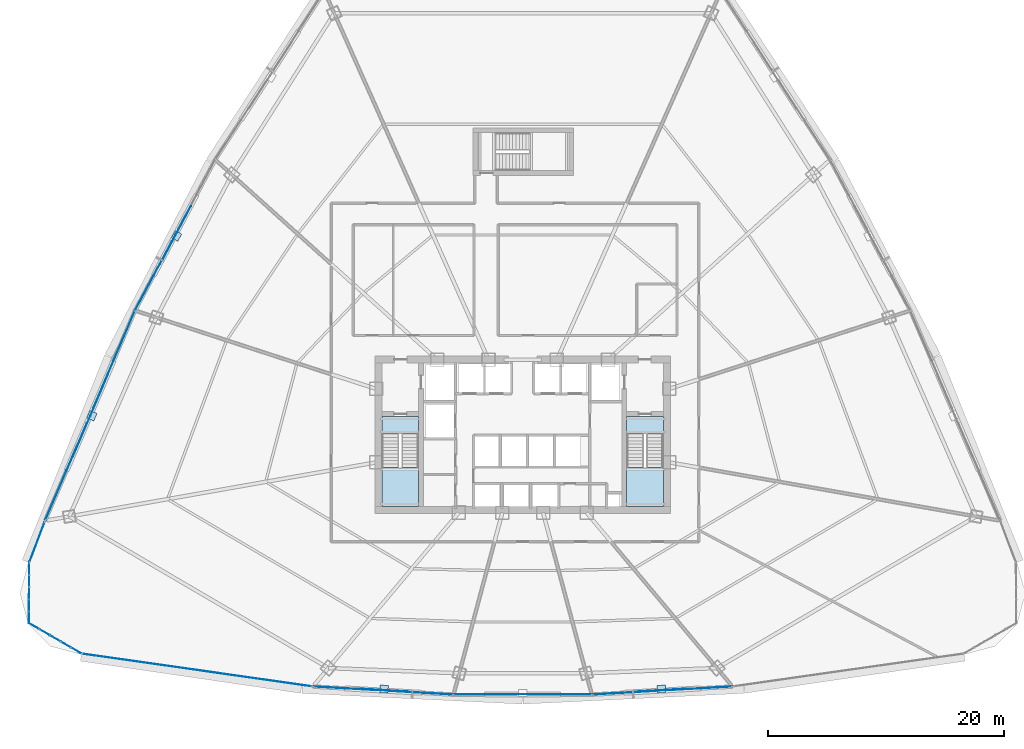
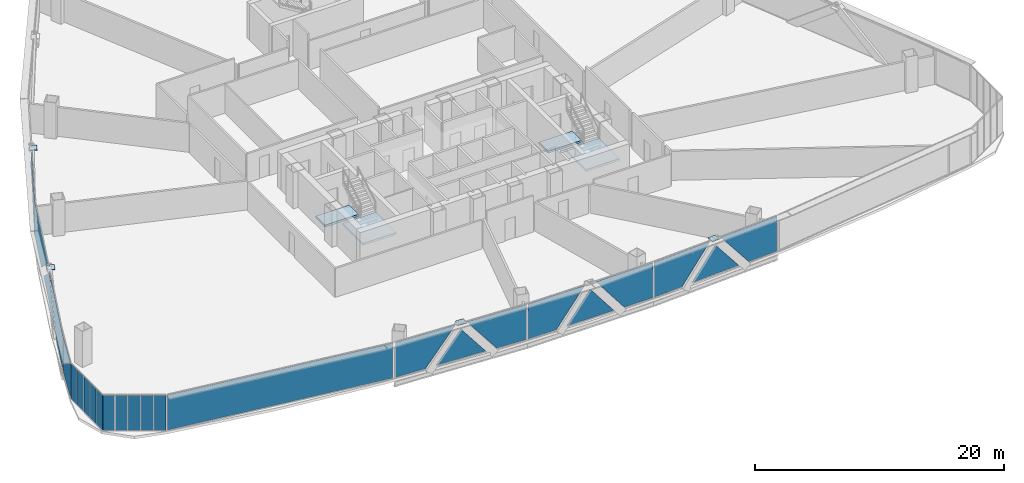
# One storey, part 28 of 39: 30 plates, 4 slabs, 11 elements without a shape of their own.
"""IFC4 building model written with IfcOpenShell, lengths in metres."""

from ifc_helpers import new_model, si_unit, direction, frame, origin, origin_2d, place, context, subcontext, project, spatial, polyline, rectangle, outline, extrude, source, transform, mapped, material, layer, layer_set, type_object, element, aggregate, save


model = new_model("IFC4")

# Units and contexts
model_context = context("Model", 3, precision=1e-05, world=origin(), true_north=direction((0.0, 1.0)))
body_context = subcontext(model_context, "Body", "Model", "MODEL_VIEW")
ifc_project = project(units=[si_unit("LENGTHUNIT", "METRE"), si_unit("AREAUNIT", "SQUARE_METRE"), si_unit("VOLUMEUNIT", "CUBIC_METRE"), si_unit("PLANEANGLEUNIT", "RADIAN"), si_unit("MASSUNIT", "GRAM", prefix="KILO"), si_unit("THERMODYNAMICTEMPERATUREUNIT", "KELVIN"), si_unit("POWERUNIT", "WATT")], contexts=[model_context])

# Site, building, storey
site_placement = place(None, origin())
site = spatial("IfcSite", under=ifc_project, at=site_placement, CompositionType="ELEMENT")
building_placement = place(site_placement, origin())
building = spatial("IfcBuilding", under=site, at=building_placement, Name="Yunzhuo Pagoda Commons", CompositionType="ELEMENT")
storey_placement = place(building_placement, frame((0.0, 0.0, 100.179931640625)))
storey = spatial("IfcBuildingStorey", under=building, at=storey_placement, Name="L25", CompositionType="ELEMENT", Elevation=100.179931640625)

# Curtain wall, plates
ifc_material_1 = material(Name="Anodized aluminium 6063-T6", Category="aluminium")
ifc_layer_1 = layer(ifc_material_1, 0.1650390625)
ifc_layer_set_1 = layer_set([ifc_layer_1], Name="Anodized aluminium 6063-T6")
curtain_wall_type_1 = type_object("IfcCurtainWallType", Name="CW-LOW Low-Zone Ribbon Curtain Wall", PredefinedType="NOTDEFINED", material=ifc_layer_set_1)
curtain_wall_1_placement = place(storey_placement, origin())
curtain_wall_1 = element("IfcCurtainWall", 1, at=curtain_wall_1_placement, inside=storey, type_object=curtain_wall_type_1, Name="L25 curtain wall CW-L25-F1B2", PredefinedType="NOTDEFINED")
ifc_material_2 = material(Name="Tempered low-e double glazing", Category="glass")
ifc_layer_2 = layer(ifc_material_2, 0.028076171875)
ifc_layer_set_2 = layer_set([ifc_layer_2], Name="Tempered low-e double glazing")
plate_type_1 = type_object("IfcPlateType", Name="CW-LOW-P Low-E Double Glazing 28", PredefinedType="CURTAIN_PANEL", material=ifc_layer_set_2)
plate_1_placement = place(storey_placement, frame((32.993896484375, 12.403564453125, 1.77001953125), z_axis=(-0.057299493103, -0.998357034377, 0.0), x_axis=(0.998357034377, -0.057299493103, 0.0)))
plate_1 = element("IfcPlate", 2, at=plate_1_placement, type_object=plate_type_1, Name="CW panel 1.1 lite 1", PredefinedType="CURTAIN_PANEL", context=body_context, shape_type="SweptSolid", body=[
    extrude(outline(polyline([(-2.681884765625, -1.7099609375), (0.00048828125, -1.7099609375), (2.681884765625, 1.7099609375), (-2.681884765625, 1.7099609375), (-2.681884765625, -1.7099609375)])), origin(), (0.0, 0.0, 1.0), 0.028076171875),
])
plate_2_placement = place(storey_placement, frame((36.2021484375, 12.24951171875, 1.4921875), z_axis=(-0.057299493103, -0.998357034377, 0.0), x_axis=(0.998357034377, -0.057299493103, 0.0)))
plate_2 = element("IfcPlate", 3, at=plate_2_placement, type_object=plate_type_1, Name="CW panel 1.1 lite 2", PredefinedType="CURTAIN_PANEL", context=body_context, shape_type="SweptSolid", body=[
    extrude(outline(polyline([(-2.245849609375, -1.43212890625), (2.245849609375, -1.43212890625), (0.0, 1.43212890625), (-2.245849609375, -1.43212890625)])), origin(), (0.0, 0.0, 1.0), 0.028076171875),
])
plate_3_placement = place(storey_placement, frame((39.4072265625, 12.035400390625, 1.77001953125), z_axis=(-0.057299493103, -0.998357034377, 0.0), x_axis=(0.998357034377, -0.057299493103, 0.0)))
plate_3 = element("IfcPlate", 4, at=plate_3_placement, type_object=plate_type_1, Name="CW panel 1.1 lite 3", PredefinedType="CURTAIN_PANEL", context=body_context, shape_type="SweptSolid", body=[
    extrude(outline(polyline([(-2.681884765625, 1.7099609375), (-0.00048828125, -1.7099609375), (2.68212890625, -1.7099609375), (2.68212890625, 1.7099609375), (-2.681884765625, 1.7099609375)])), origin(), (0.0, 0.0, 1.0), 0.028076171875),
])
aggregate(curtain_wall_1, [plate_1, plate_2, plate_3])

curtain_wall_2_placement = place(storey_placement, origin())
curtain_wall_2 = element("IfcCurtainWall", 5, at=curtain_wall_2_placement, inside=storey, type_object=curtain_wall_type_1, Name="L25 curtain wall CW-L25-F1B3", PredefinedType="NOTDEFINED")
plate_4_placement = place(storey_placement, frame((44.843994140625, 11.87841796875, 1.77001953125), z_axis=(0.0, -1.0, 0.0), x_axis=(1.0, 0.0, 0.0)))
plate_4 = element("IfcPlate", 6, at=plate_4_placement, type_object=plate_type_1, Name="CW panel 1.1 lite 1", PredefinedType="CURTAIN_PANEL", context=body_context, shape_type="SweptSolid", body=[
    extrude(outline(polyline([(-2.6298828125, -1.7099609375), (-0.002685546875, -1.7099609375), (2.6298828125, 1.7099609375), (-2.6298828125, 1.7099609375), (-2.6298828125, -1.7099609375)])), origin(), (0.0, 0.0, 1.0), 0.028076171875),
])
plate_5_placement = place(storey_placement, frame((48.0, 11.908203125, 1.488525390625), z_axis=(0.0, -1.0, 0.0), x_axis=(1.0, 0.0, 0.0)))
plate_5 = element("IfcPlate", 7, at=plate_5_placement, type_object=plate_type_1, Name="CW panel 1.1 lite 2", PredefinedType="CURTAIN_PANEL", context=body_context, shape_type="SweptSolid", body=[
    extrude(outline(polyline([(-2.199462890625, -1.4287109375), (2.199462890625, -1.4287109375), (0.0, 1.4287109375), (-2.199462890625, -1.4287109375)])), origin(), (0.0, 0.0, 1.0), 0.028076171875),
])
plate_6_placement = place(storey_placement, frame((51.156005859375, 11.87841796875, 1.77001953125), z_axis=(0.0, -1.0, 0.0), x_axis=(1.0, 0.0, 0.0)))
plate_6 = element("IfcPlate", 8, at=plate_6_placement, type_object=plate_type_1, Name="CW panel 1.1 lite 3", PredefinedType="CURTAIN_PANEL", context=body_context, shape_type="SweptSolid", body=[
    extrude(outline(polyline([(-2.6298828125, 1.7099609375), (0.002685546875, -1.7099609375), (2.6298828125, -1.7099609375), (2.6298828125, 1.7099609375), (-2.6298828125, 1.7099609375)])), origin(), (0.0, 0.0, 1.0), 0.028076171875),
])
aggregate(curtain_wall_2, [plate_4, plate_5, plate_6])

curtain_wall_3_placement = place(storey_placement, origin())
curtain_wall_3 = element("IfcCurtainWall", 9, at=curtain_wall_3_placement, inside=storey, type_object=curtain_wall_type_1, Name="L25 curtain wall CW-L25-F1B4", PredefinedType="NOTDEFINED")
plate_7_placement = place(storey_placement, frame((56.5927734375, 12.035400390625, 1.77001953125), z_axis=(0.057299493103, -0.998357034377, 0.0), x_axis=(0.998357034377, 0.057299493103, 0.0)))
plate_7 = element("IfcPlate", 10, at=plate_7_placement, type_object=plate_type_1, Name="CW panel 1.1 lite 1", PredefinedType="CURTAIN_PANEL", context=body_context, shape_type="SweptSolid", body=[
    extrude(outline(polyline([(-2.68212890625, -1.7099609375), (0.00048828125, -1.7099609375), (2.681884765625, 1.7099609375), (-2.68212890625, 1.7099609375), (-2.68212890625, -1.7099609375)])), origin(), (0.0, 0.0, 1.0), 0.028076171875),
])
plate_8_placement = place(storey_placement, frame((59.7978515625, 12.24951171875, 1.4921875), z_axis=(0.057299493103, -0.998357034377, 0.0), x_axis=(0.998357034377, 0.057299493103, 0.0)))
plate_8 = element("IfcPlate", 11, at=plate_8_placement, type_object=plate_type_1, Name="CW panel 1.1 lite 2", PredefinedType="CURTAIN_PANEL", context=body_context, shape_type="SweptSolid", body=[
    extrude(outline(polyline([(-2.245849609375, -1.43212890625), (2.245849609375, -1.43212890625), (0.0, 1.43212890625), (-2.245849609375, -1.43212890625)])), origin(), (0.0, 0.0, 1.0), 0.028076171875),
])
plate_9_placement = place(storey_placement, frame((63.006103515625, 12.403564453125, 1.77001953125), z_axis=(0.057299493103, -0.998357034377, 0.0), x_axis=(0.998357034377, 0.057299493103, 0.0)))
plate_9 = element("IfcPlate", 12, at=plate_9_placement, type_object=plate_type_1, Name="CW panel 1.1 lite 3", PredefinedType="CURTAIN_PANEL", context=body_context, shape_type="SweptSolid", body=[
    extrude(outline(polyline([(-2.681884765625, 1.7099609375), (-0.00048828125, -1.7099609375), (2.681884765625, -1.7099609375), (2.681884765625, 1.7099609375), (-2.681884765625, 1.7099609375)])), origin(), (0.0, 0.0, 1.0), 0.028076171875),
])
aggregate(curtain_wall_3, [plate_7, plate_8, plate_9])

curtain_wall_4_placement = place(storey_placement, origin())
curtain_wall_4 = element("IfcCurtainWall", 13, at=curtain_wall_4_placement, inside=storey, type_object=curtain_wall_type_1, Name="L25 curtain wall CW-L25-F3B3", PredefinedType="NOTDEFINED")
plate_10_placement = place(storey_placement, frame((18.635498046875, 50.717529296875, 1.5244140625), z_axis=(-0.882975865639, 0.469418385558, 0.0), x_axis=(-0.469418385558, -0.882975865639, 0.0)))
plate_10 = element("IfcPlate", 14, at=plate_10_placement, type_object=plate_type_1, Name="CW panel 1.1 lite 2", PredefinedType="CURTAIN_PANEL", context=body_context, shape_type="SweptSolid", body=[
    extrude(outline(polyline([(-2.78515625, -1.46435546875), (2.78515625, -1.46435546875), (0.0, 1.46435546875), (-2.78515625, -1.46435546875)])), origin(), (0.0, 0.0, 1.0), 0.028076171875),
])
plate_11_placement = place(storey_placement, frame((16.791259765625, 47.3125, 1.77001953125), z_axis=(-0.882975865639, 0.469418385558, 0.0), x_axis=(-0.469418385558, -0.882975865639, 0.0)))
plate_11 = element("IfcPlate", 15, at=plate_11_placement, type_object=plate_type_1, Name="CW panel 1.1 lite 3", PredefinedType="CURTAIN_PANEL", context=body_context, shape_type="SweptSolid", body=[
    extrude(outline(polyline([(-3.290771484375, 1.7099609375), (-0.0380859375, -1.7099609375), (3.290771484375, -1.7099609375), (3.290771484375, 1.7099609375), (-3.290771484375, 1.7099609375)])), origin(), (0.0, 0.0, 1.0), 0.028076171875),
])
aggregate(curtain_wall_4, [plate_10, plate_11])

curtain_wall_5_placement = place(storey_placement, origin())
curtain_wall_5 = element("IfcCurtainWall", 16, at=curtain_wall_5_placement, inside=storey, type_object=curtain_wall_type_1, Name="L25 curtain wall CW-L25-F3B4", PredefinedType="NOTDEFINED")
plate_12_placement = place(storey_placement, frame((13.437744140625, 40.193359375, 1.77001953125), z_axis=(-0.919382894415, 0.393363818185, 0.0), x_axis=(-0.393363818185, -0.919382894415, 0.0)))
plate_12 = element("IfcPlate", 17, at=plate_12_placement, type_object=plate_type_1, Name="CW panel 1.1 lite 1", PredefinedType="CURTAIN_PANEL", context=body_context, shape_type="SweptSolid", body=[
    extrude(outline(polyline([(-4.456787109375, -1.7099609375), (0.105224609375, -1.7099609375), (4.456787109375, 1.7099609375), (-4.456787109375, 1.7099609375), (-4.456787109375, -1.7099609375)])), origin(), (0.0, 0.0, 1.0), 0.028076171875),
])
plate_13_placement = place(storey_placement, frame((11.4404296875, 35.448486328125, 1.558349609375), z_axis=(-0.919382894415, 0.393363818185, 0.0), x_axis=(-0.393363818185, -0.919382894415, 0.0)))
plate_13 = element("IfcPlate", 18, at=plate_13_placement, type_object=plate_type_1, Name="CW panel 1.1 lite 2", PredefinedType="CURTAIN_PANEL", context=body_context, shape_type="SweptSolid", body=[
    extrude(outline(polyline([(-3.812744140625, -1.498291015625), (3.812744140625, -1.498291015625), (0.0, 1.498291015625), (-3.812744140625, -1.498291015625)])), origin(), (0.0, 0.0, 1.0), 0.028076171875),
])
plate_14_placement = place(storey_placement, frame((9.3876953125, 30.727294921875, 1.77001953125), z_axis=(-0.919382894415, 0.393363818185, 0.0), x_axis=(-0.393363818185, -0.919382894415, 0.0)))
plate_14 = element("IfcPlate", 19, at=plate_14_placement, type_object=plate_type_1, Name="CW panel 1.1 lite 3", PredefinedType="CURTAIN_PANEL", context=body_context, shape_type="SweptSolid", body=[
    extrude(outline(polyline([(-4.456787109375, 1.7099609375), (-0.105224609375, -1.7099609375), (4.456787109375, -1.7099609375), (4.456787109375, 1.7099609375), (-4.456787109375, 1.7099609375)])), origin(), (0.0, 0.0, 1.0), 0.028076171875),
])
aggregate(curtain_wall_5, [plate_12, plate_13, plate_14])

# Stair, slabs
ifc_material_3 = material(Name="Concrete C40", Category="concrete")
stair_type_1 = type_object("IfcStairType", Name="ST-C1 Core Smokeproof Stair ST1", PredefinedType="HALF_TURN_STAIR", material=ifc_material_3)
stair_1_placement = place(storey_placement, origin())
stair_1 = element("IfcStair", 20, at=stair_1_placement, inside=storey, type_object=stair_type_1, Name="L25 Core smokeproof stair ST1", PredefinedType="HALF_TURN_STAIR")
ifc_layer_3 = layer(ifc_material_3, 0.199951171875)
ifc_layer_set_3 = layer_set([ifc_layer_3], Name="Concrete C40")
slab_type_1 = type_object("IfcSlabType", Name="SL-LND1 Stair Landing Slab 200", PredefinedType="LANDING", material=ifc_layer_set_3)
slab_1_placement = place(storey_placement, frame((0.0, 0.0, 1.699951171875)))
slab_1 = element("IfcSlab", 21, at=slab_1_placement, type_object=slab_type_1, Name="ST1 landing 1", PredefinedType="LANDING", context=body_context, shape_type="SweptSolid", body=[
    extrude(outline(polyline([(36.10009765625, 31.10009765625), (36.10009765625, 27.800048828125), (39.199951171875, 27.800048828125), (39.199951171875, 31.10009765625), (36.10009765625, 31.10009765625)])), origin(), (0.0, 0.0, 1.0), 0.2001953125),
])
slab_2_placement = place(storey_placement, frame((0.0, 0.0, -0.199951171875)))
slab_2 = element("IfcSlab", 22, at=slab_2_placement, type_object=slab_type_1, Name="ST1 floor landing L25", PredefinedType="LANDING", context=body_context, shape_type="SweptSolid", body=[
    extrude(outline(polyline([(36.10009765625, 35.39990234375), (36.10009765625, 33.89990234375), (39.199951171875, 33.89990234375), (39.199951171875, 35.39990234375), (36.10009765625, 35.39990234375)])), origin(), (0.0, 0.0, 1.0), 0.199951171875),
])
aggregate(stair_1, [slab_1, slab_2])

stair_type_2 = type_object("IfcStairType", Name="ST-C2 Core Smokeproof Stair ST2", PredefinedType="HALF_TURN_STAIR", material=ifc_material_3)
stair_2_placement = place(storey_placement, origin())
stair_2 = element("IfcStair", 23, at=stair_2_placement, inside=storey, type_object=stair_type_2, Name="L25 Core smokeproof stair ST2", PredefinedType="HALF_TURN_STAIR")
ifc_layer_4 = layer(ifc_material_3, 0.201904296875)
ifc_layer_set_4 = layer_set([ifc_layer_4], Name="Concrete C40")
slab_type_2 = type_object("IfcSlabType", Name="SL-LND2 Stair Landing Slab 202", PredefinedType="LANDING", material=ifc_layer_set_4)
slab_3_placement = place(storey_placement, frame((0.0, 0.0, 1.699951171875)))
slab_3 = element("IfcSlab", 24, at=slab_3_placement, type_object=slab_type_2, Name="ST2 landing 1", PredefinedType="LANDING", context=body_context, shape_type="SweptSolid", body=[
    extrude(outline(polyline([(56.800048828125, 31.10009765625), (56.800048828125, 27.800048828125), (59.89990234375, 27.800048828125), (59.89990234375, 31.10009765625), (56.800048828125, 31.10009765625)])), origin(), (0.0, 0.0, 1.0), 0.2001953125),
])
slab_4_placement = place(storey_placement, frame((0.0, 0.0, -0.199951171875)))
slab_4 = element("IfcSlab", 25, at=slab_4_placement, type_object=slab_type_2, Name="ST2 floor landing L25", PredefinedType="LANDING", context=body_context, shape_type="SweptSolid", body=[
    extrude(outline(polyline([(56.800048828125, 35.39990234375), (56.800048828125, 33.89990234375), (59.89990234375, 33.89990234375), (59.89990234375, 35.39990234375), (56.800048828125, 35.39990234375)])), origin(), (0.0, 0.0, 1.0), 0.199951171875),
])
aggregate(stair_2, [slab_3, slab_4])

# Plates
ifc_material_4 = material(Name="Structural steel Q355B", Category="steel")
ifc_layer_5 = layer(ifc_material_4, 0.028076171875)
ifc_layer_set_5 = layer_set([ifc_layer_5], Name="Structural steel Q355B")
plate_type_2 = type_object("IfcPlateType", Name="SP-ND1 Lattice Node Cap Plate 800x500x28", PredefinedType="USERDEFINED", material=ifc_layer_set_5)
shared_shape_1 = source(origin(), body_context, "Body", "SweptSolid", [
    extrude(rectangle(XDim=0.699951171875, YDim=0.64501953125, at=origin_2d()), origin(), (0.0, 0.0, 1.0), 0.035888671875),
])
for number, where, z_axis, x_axis, name in (
    (26, (36.270751953125, 12.335205078125, 3.501953125), (0.0, 0.0, 1.0), (0.998356852628, -0.057302659713, 0.0), "L25 setback lattice tie plate F1.1L"),
    (27, (59.729248046875, 12.335205078125, 3.501953125), (0.0, 0.0, 1.0), (0.998356852628, 0.057302659713, 0.0), "L25 setback lattice tie plate F1.3L"),
):
    element("IfcPlate", number, at=place(storey_placement, frame(where, z_axis=z_axis, x_axis=x_axis)), inside=storey, type_object=plate_type_2, Name=name, ObjectType="STIFFENER_PLATE", PredefinedType="USERDEFINED", context=body_context, shape_type="MappedRepresentation", body=[
        mapped(shared_shape_1, transform((0.0, 0.0, 0.0), scale=1.0)),
    ])
shared_shape_2 = source(origin(), body_context, "Body", "SweptSolid", [
    extrude(rectangle(XDim=0.699951171875, YDim=0.654541015625, at=origin_2d()), origin(), (0.0, 0.0, 1.0), 0.035888671875),
])
plate_15_placement = place(storey_placement, frame((11.552001953125, 35.458984375, 3.501953125), z_axis=(0.0, 0.0, 1.0), x_axis=(-0.393364322102, -0.919382678811, 0.0)))
element("IfcPlate", 28, at=plate_15_placement, inside=storey, type_object=plate_type_2, Name="L25 setback lattice tie plate F3.3L", ObjectType="STIFFENER_PLATE", PredefinedType="USERDEFINED", context=body_context, shape_type="MappedRepresentation", body=[
    mapped(shared_shape_2, transform((0.0, 0.0, 0.0), scale=1.0)),
])
shared_shape_3 = source(origin(), body_context, "Body", "SweptSolid", [
    extrude(rectangle(XDim=0.699951171875, YDim=0.626220703125, at=origin_2d()), origin(), (0.0, 0.0, 1.0), 0.035888671875),
])
plate_16_placement = place(storey_placement, frame((18.716064453125, 50.669189453125, 3.501953125), z_axis=(0.0, 0.0, 1.0), x_axis=(-0.469425331115, -0.882972173122, 0.0)))
element("IfcPlate", 29, at=plate_16_placement, inside=storey, type_object=plate_type_2, Name="L25 setback lattice tie plate F3.2L", ObjectType="STIFFENER_PLATE", PredefinedType="USERDEFINED", context=body_context, shape_type="MappedRepresentation", body=[
    mapped(shared_shape_3, transform((0.0, 0.0, 0.0), scale=1.0)),
])

# Curtain wall, plate
curtain_wall_6_placement = place(storey_placement, origin())
curtain_wall_6 = element("IfcCurtainWall", 30, at=curtain_wall_6_placement, inside=storey, type_object=curtain_wall_type_1, Name="L25 curtain wall CW-L25-F1B1", PredefinedType="NOTDEFINED")
shared_shape_4 = source(origin(), body_context, "Body", "SweptSolid", [
    extrude(rectangle(XDim=19.5625, YDim=0.028076171875, at=origin_2d()), origin(), (0.0, 0.0, 1.0), 3.419921875),
])
plate_17_placement = place(storey_placement, frame((20.427978515625, 13.94384765625, 0.06005859375), z_axis=(0.0, 0.0, 1.0), x_axis=(0.990041803855, -0.140773671614, 0.0)))
plate_17 = element("IfcPlate", 31, at=plate_17_placement, type_object=plate_type_1, Name="CW panel 1.1", PredefinedType="CURTAIN_PANEL", context=body_context, shape_type="MappedRepresentation", body=[
    mapped(shared_shape_4, transform((0.0, 0.0, 0.0), scale=1.0)),
])
aggregate(curtain_wall_6, [plate_17])

curtain_wall_7_placement = place(storey_placement, origin())
curtain_wall_7 = element("IfcCurtainWall", 32, at=curtain_wall_7_placement, inside=storey, type_object=curtain_wall_type_1, Name="L25 curtain wall CW-L25-F3B5", PredefinedType="NOTDEFINED")
shared_shape_5 = source(origin(), body_context, "Body", "SweptSolid", [
    extrude(rectangle(XDim=3.582763671875, YDim=0.028076171875, at=origin_2d()), origin(), (0.0, 0.0, 1.0), 3.419921875),
])
plate_18_placement = place(storey_placement, frame((6.913330078125, 24.768798828125, 0.06005859375), z_axis=(0.0, 0.0, 1.0), x_axis=(-0.353448231461, -0.935454086355, 0.0)))
plate_18 = element("IfcPlate", 33, at=plate_18_placement, type_object=plate_type_1, Name="CW panel 1.1", PredefinedType="CURTAIN_PANEL", context=body_context, shape_type="MappedRepresentation", body=[
    mapped(shared_shape_5, transform((0.0, 0.0, 0.0), scale=1.0)),
])
aggregate(curtain_wall_7, [plate_18])

# Curtain wall, plates
ifc_layer_6 = layer(ifc_material_1, 0.1298828125)
ifc_layer_set_6 = layer_set([ifc_layer_6], Name="Anodized aluminium 6063-T6")
curtain_wall_type_2 = type_object("IfcCurtainWallType", Name="CW-VTX Rounded Corner Curtain Wall", PredefinedType="NOTDEFINED", material=ifc_layer_set_6)
curtain_wall_8_placement = place(storey_placement, origin())
curtain_wall_8 = element("IfcCurtainWall", 34, at=curtain_wall_8_placement, inside=storey, type_object=curtain_wall_type_2, Name="L25 curtain wall CW-L25-VTX1S1", PredefinedType="NOTDEFINED")
ifc_layer_7 = layer(ifc_material_2, 0.02587890625)
ifc_layer_set_7 = layer_set([ifc_layer_7], Name="Tempered low-e double glazing")
plate_type_3 = type_object("IfcPlateType", Name="CW-VTX-P Low-E Double Glazing 26", PredefinedType="CURTAIN_PANEL", material=ifc_layer_set_7)
shared_shape_6 = source(origin(), body_context, "Body", "SweptSolid", [
    extrude(rectangle(XDim=0.953125, YDim=0.028076171875, at=origin_2d()), origin(), (0.0, 0.0, 1.0), 3.429931640625),
])
plate_19_placement = place(storey_placement, frame((6.25537109375, 22.500732421875, 0.05517578125), z_axis=(0.0, 0.0, 1.0), x_axis=(-0.003572992237, -0.999993616843, 0.0)))
plate_19 = element("IfcPlate", 35, at=plate_19_placement, type_object=plate_type_3, Name="CW panel 1.1", PredefinedType="CURTAIN_PANEL", context=body_context, shape_type="MappedRepresentation", body=[
    mapped(shared_shape_6, transform((0.0, 0.0, 0.0), scale=1.0)),
])
plate_20_placement = place(storey_placement, frame((6.24072265625, 18.38623046875, 0.05517578125), z_axis=(0.0, 0.0, 1.0), x_axis=(-0.003572992237, -0.999993616843, 0.0)))
plate_20 = element("IfcPlate", 36, at=plate_20_placement, type_object=plate_type_3, Name="CW panel 5.1", PredefinedType="CURTAIN_PANEL", context=body_context, shape_type="MappedRepresentation", body=[
    mapped(shared_shape_6, transform((0.0, 0.0, 0.0), scale=1.0)),
])

curtain_wall_9_placement = place(storey_placement, origin())
curtain_wall_9 = element("IfcCurtainWall", 37, at=curtain_wall_9_placement, inside=storey, type_object=curtain_wall_type_2, Name="L25 curtain wall CW-L25-VTX1S2", PredefinedType="NOTDEFINED")
plate_21_placement = place(storey_placement, frame((6.658935546875, 17.65771484375, 0.05517578125), z_axis=(0.0, 0.0, 1.0), x_axis=(0.865426726249, -0.501035509214, 0.0)))
plate_21 = element("IfcPlate", 38, at=plate_21_placement, type_object=plate_type_3, Name="CW panel 1.1", PredefinedType="CURTAIN_PANEL", context=body_context, shape_type="MappedRepresentation", body=[
    mapped(shared_shape_6, transform((0.0, 0.0, 0.0), scale=1.0)),
])
plate_22_placement = place(storey_placement, frame((10.2197265625, 15.59619140625, 0.05517578125), z_axis=(0.0, 0.0, 1.0), x_axis=(0.865426726249, -0.501035509214, 0.0)))
plate_22 = element("IfcPlate", 39, at=plate_22_placement, type_object=plate_type_3, Name="CW panel 5.1", PredefinedType="CURTAIN_PANEL", context=body_context, shape_type="MappedRepresentation", body=[
    mapped(shared_shape_6, transform((0.0, 0.0, 0.0), scale=1.0)),
])

# Plate
shared_shape_7 = source(origin(), body_context, "Body", "SweptSolid", [
    extrude(rectangle(XDim=0.98046875, YDim=0.028076171875, at=origin_2d()), origin(), (0.0, 0.0, 1.0), 3.429931640625),
])
plate_23_placement = place(storey_placement, frame((6.251708984375, 21.47900390625, 0.05517578125), z_axis=(0.0, 0.0, 1.0), x_axis=(-0.003572992237, -0.999993616843, 0.0)))
plate_23 = element("IfcPlate", 40, at=plate_23_placement, type_object=plate_type_3, Name="CW panel 2.1", PredefinedType="CURTAIN_PANEL", context=body_context, shape_type="MappedRepresentation", body=[
    mapped(shared_shape_7, transform((0.0, 0.0, 0.0), scale=1.0)),
])

plate_24_placement = place(storey_placement, frame((6.248046875, 20.443359375, 0.05517578125), z_axis=(0.0, 0.0, 1.0), x_axis=(-0.003572992237, -0.999993616843, 0.0)))
plate_24 = element("IfcPlate", 41, at=plate_24_placement, type_object=plate_type_3, Name="CW panel 3.1", PredefinedType="CURTAIN_PANEL", context=body_context, shape_type="MappedRepresentation", body=[
    mapped(shared_shape_7, transform((0.0, 0.0, 0.0), scale=1.0)),
])

plate_25_placement = place(storey_placement, frame((6.244384765625, 19.407958984375, 0.05517578125), z_axis=(0.0, 0.0, 1.0), x_axis=(-0.003572992237, -0.999993616843, 0.0)))
plate_25 = element("IfcPlate", 42, at=plate_25_placement, type_object=plate_type_3, Name="CW panel 4.1", PredefinedType="CURTAIN_PANEL", context=body_context, shape_type="MappedRepresentation", body=[
    mapped(shared_shape_7, transform((0.0, 0.0, 0.0), scale=1.0)),
])

aggregate(curtain_wall_8, [plate_19, plate_23, plate_24, plate_25, plate_20])

plate_26_placement = place(storey_placement, frame((7.543212890625, 17.145751953125, 0.05517578125), z_axis=(0.0, 0.0, 1.0), x_axis=(0.865426726249, -0.501035509214, 0.0)))
plate_26 = element("IfcPlate", 43, at=plate_26_placement, type_object=plate_type_3, Name="CW panel 2.1", PredefinedType="CURTAIN_PANEL", context=body_context, shape_type="MappedRepresentation", body=[
    mapped(shared_shape_7, transform((0.0, 0.0, 0.0), scale=1.0)),
])

plate_27_placement = place(storey_placement, frame((8.439453125, 16.626953125, 0.05517578125), z_axis=(0.0, 0.0, 1.0), x_axis=(0.865426726249, -0.501035509214, 0.0)))
plate_27 = element("IfcPlate", 44, at=plate_27_placement, type_object=plate_type_3, Name="CW panel 3.1", PredefinedType="CURTAIN_PANEL", context=body_context, shape_type="MappedRepresentation", body=[
    mapped(shared_shape_7, transform((0.0, 0.0, 0.0), scale=1.0)),
])

plate_28_placement = place(storey_placement, frame((9.33544921875, 16.108154296875, 0.05517578125), z_axis=(0.0, 0.0, 1.0), x_axis=(0.865426726249, -0.501035509214, 0.0)))
plate_28 = element("IfcPlate", 45, at=plate_28_placement, type_object=plate_type_3, Name="CW panel 4.1", PredefinedType="CURTAIN_PANEL", context=body_context, shape_type="MappedRepresentation", body=[
    mapped(shared_shape_7, transform((0.0, 0.0, 0.0), scale=1.0)),
])

aggregate(curtain_wall_9, [plate_21, plate_26, plate_27, plate_28, plate_22])

save(model, "model.ifc")
